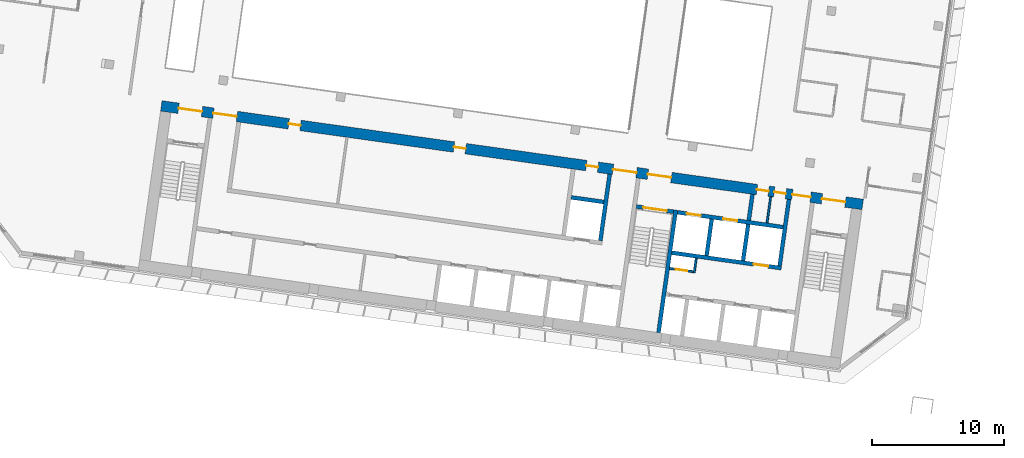
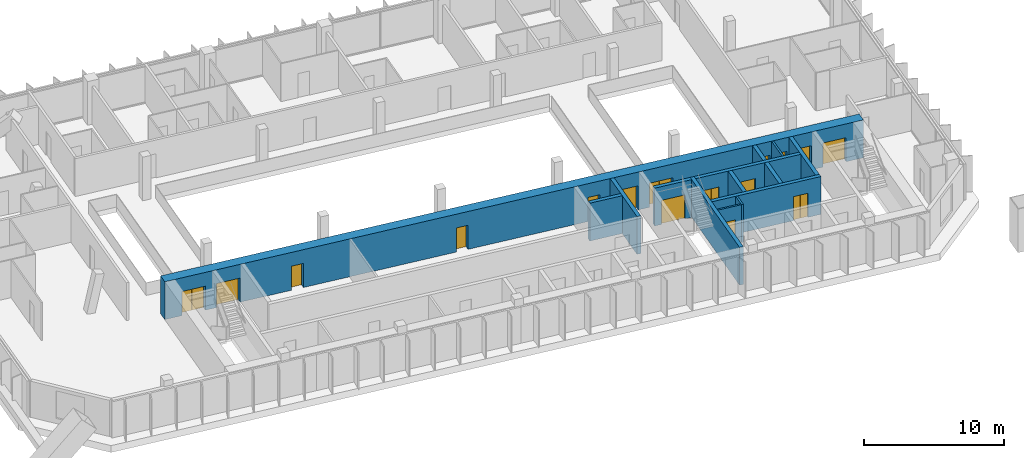
# One storey, part 19 of 34: 16 doors, 14 walls, 16 openings.
"""IFC4 building model written with IfcOpenShell, lengths in metres."""

from ifc_helpers import new_model, si_unit, direction, frame, frame_2d, origin, place, context, subcontext, project, spatial, rectangle, extrude, material, layer, layer_set, type_object, element, fill, save


model = new_model("IFC4")

# Units and contexts
model_context = context("Model", 3, precision=1e-05, world=origin(), true_north=direction((0.0, 1.0)))
body_context = subcontext(model_context, "Body", "Model", "MODEL_VIEW")
ifc_project = project(units=[si_unit("LENGTHUNIT", "METRE"), si_unit("AREAUNIT", "SQUARE_METRE"), si_unit("VOLUMEUNIT", "CUBIC_METRE"), si_unit("PLANEANGLEUNIT", "RADIAN"), si_unit("MASSUNIT", "GRAM", prefix="KILO")], contexts=[model_context])

# Site, building, storey
site_placement = place(None, origin())
site = spatial("IfcSite", under=ifc_project, at=site_placement, CompositionType="ELEMENT")
building_placement = place(site_placement, origin())
building = spatial("IfcBuilding", under=site, at=building_placement, Name="Mirante Cascada Hotel Towers", CompositionType="ELEMENT")
storey_placement = place(building_placement, frame((0.0, 0.0, 148.1)))
storey = spatial("IfcBuildingStorey", under=building, at=storey_placement, Name="L34", CompositionType="ELEMENT", Elevation=148.1)

# Wall
ifc_material_1 = material(Name="Masonry block", Category="masonry")
ifc_layer_1 = layer(ifc_material_1, 0.15)
ifc_layer_set_1 = layer_set([ifc_layer_1], Name="Core room partition 150 block EI 30")
wall_type_1 = type_object("IfcWallType", Name="Core room partition 150 block EI 30", PredefinedType="PARTITIONING", material=ifc_layer_set_1)
wall_1_placement = place(storey_placement, frame((-48.2295, -12.793, 0.0), z_axis=(0.0, 0.0, 1.0), x_axis=(0.1391935, 0.9902652, 0.0)))
element("IfcWall", 1, at=wall_1_placement, inside=storey, type_object=wall_type_1, Name="Core wall partition T1 L34 2", PredefinedType="PARTITIONING", context=body_context, shape_type="SweptSolid", body=[
    extrude(rectangle(XDim=1.1251, YDim=0.15, at=frame_2d((0.5626, 0.0))), origin(), (0.0, 0.0, 1.0), 3.3),
])

# Wall, opening, door
wall_2_placement = place(storey_placement, frame((-48.2933, -12.7083, 0.0), z_axis=(0.0, 0.0, 1.0), x_axis=(-0.990268, 0.1391734, 0.0)))
wall_2 = element("IfcWall", 2, at=wall_2_placement, inside=storey, type_object=wall_type_1, Name="Core wall partition T1 L34 3", PredefinedType="PARTITIONING", context=body_context, shape_type="SweptSolid", body=[
    extrude(rectangle(XDim=1.8251, YDim=0.15, at=frame_2d((0.9126, 0.0))), origin(), (0.0, 0.0, 1.0), 3.3),
])
opening_1_placement = place(wall_2_placement, frame((0.4625, 0.0, 0.0)))
opening_1 = element("IfcOpeningElement", 3, at=opening_1_placement, cuts=wall_2, Name="Opening D1-34-C23", PredefinedType="OPENING", context=body_context, shape_type="SweptSolid", body=[
    extrude(rectangle(XDim=0.9, YDim=2.1, at=frame_2d((0.45, 1.05))), frame((0.0, 0.075, 0.0), z_axis=(0.0, -1.0, 0.0), x_axis=(1.0, 0.0, 0.0)), (0.0, 0.0, 1.0), 0.15),
])
ifc_material_2 = material(Name="Hollow metal fire door leaf")
door_type_1 = type_object("IfcDoorType", Name="Fire door 900x2100 FD60", OperationType="NOTDEFINED", PredefinedType="DOOR", material=ifc_material_2)
door_1_placement = place(opening_1_placement, origin())
door_1 = element("IfcDoor", 4, at=door_1_placement, inside=storey, type_object=door_type_1, Name="Riser door T1 L34 23", OperationType="SINGLE_SWING_LEFT", OverallHeight=2.1, OverallWidth=0.9, PredefinedType="DOOR", context=body_context, shape_type="SweptSolid", body=[
    extrude(rectangle(XDim=0.9, YDim=2.1, at=frame_2d((0.45, 1.05))), frame((0.0, 0.025, 0.0), z_axis=(0.0, -1.0, 0.0), x_axis=(1.0, 0.0, 0.0)), (0.0, 0.0, 1.0), 0.05),
])
fill(opening_1, door_1)

# Walls
wall_3_placement = place(storey_placement, frame((-42.6979, -9.0009, 0.0), z_axis=(0.0, 0.0, 1.0), x_axis=(0.1391529, 0.9902709, 0.0)))
element("IfcWall", 5, at=wall_3_placement, inside=storey, type_object=wall_type_1, Name="Core wall partition T1 L34 4", PredefinedType="PARTITIONING", context=body_context, shape_type="SweptSolid", body=[
    extrude(rectangle(XDim=2.0, YDim=0.15, at=frame_2d((1.0, 0.0))), origin(), (0.0, 0.0, 1.0), 3.3),
])
ifc_material_3 = material(Name="Masonry block", Category="masonry")
ifc_layer_2 = layer(ifc_material_3, 0.3)
ifc_layer_set_2 = layer_set([ifc_layer_2], Name="Core wall 300 block EI 120")
wall_type_2 = type_object("IfcWallType", Name="Core wall 300 block EI 120", PredefinedType="PARTITIONING", material=ifc_layer_set_2)
wall_4_placement = place(storey_placement, frame((-44.0843, -8.8061, 0.0), z_axis=(0.0, 0.0, 1.0), x_axis=(0.1391951, 0.990265, 0.0)))
element("IfcWall", 6, at=wall_4_placement, inside=storey, type_object=wall_type_2, Name="Core wall partition T1 L34 1", PredefinedType="PARTITIONING", context=body_context, shape_type="SweptSolid", body=[
    extrude(rectangle(XDim=2.0001, YDim=0.3, at=frame_2d((1.0001, 0.0))), origin(), (0.0, 0.0, 1.0), 3.3),
])
ifc_material_4 = material(Name="Concrete C50/60", Category="concrete")
ifc_layer_3 = layer(ifc_material_4, 0.3)
ifc_layer_set_3 = layer_set([ifc_layer_3], Name="RC core wall 300 C50/60")
wall_type_3 = type_object("IfcWallType", Name="RC core wall 300 C50/60", PredefinedType="SHEAR", material=ifc_layer_set_3)
wall_5_placement = place(storey_placement, frame((-50.938, -17.3352, 0.0), z_axis=(0.0, 0.0, 1.0), x_axis=(0.1391706, 0.9902684, 0.0)))
element("IfcWall", 7, at=wall_5_placement, inside=storey, type_object=wall_type_3, Name="Core wall T1:L34:6", PredefinedType="SHEAR", context=body_context, shape_type="SweptSolid", body=[
    extrude(rectangle(XDim=9.4, YDim=0.3, at=frame_2d((4.7, 0.0))), origin(), (0.0, 0.0, 1.0), 3.3),
])

# Wall, opening, door
wall_6_placement = place(storey_placement, frame((-49.7992, -8.1544, 0.0), z_axis=(0.0, 0.0, 1.0), x_axis=(-0.9902656, 0.1391909, 0.0)))
wall_6 = element("IfcWall", 8, at=wall_6_placement, inside=storey, type_object=wall_type_3, Name="Core wall T1:L34:10", PredefinedType="SHEAR", context=body_context, shape_type="SweptSolid", body=[
    extrude(rectangle(XDim=2.85, YDim=0.3, at=frame_2d((1.425, 0.0))), origin(), (0.0, 0.0, 1.0), 3.3),
])
opening_2_placement = place(wall_6_placement, frame((0.525, 0.0, 0.0)))
opening_2 = element("IfcOpeningElement", 9, at=opening_2_placement, cuts=wall_6, Name="Opening D1-34-C15", PredefinedType="OPENING", context=body_context, shape_type="SweptSolid", body=[
    extrude(rectangle(XDim=1.8, YDim=2.1, at=frame_2d((0.9, 1.05))), frame((0.0, 0.15, 0.0), z_axis=(0.0, -1.0, 0.0), x_axis=(1.0, 0.0, 0.0)), (0.0, 0.0, 1.0), 0.3),
])
ifc_material_5 = material(Name="Hollow metal fire door leaf")
door_type_2 = type_object("IfcDoorType", Name="Double fire door 1800x2100 FD60", OperationType="DOUBLE_DOOR_SINGLE_SWING", PredefinedType="DOOR", material=ifc_material_5)
door_2_placement = place(opening_2_placement, origin())
door_2 = element("IfcDoor", 10, at=door_2_placement, inside=storey, type_object=door_type_2, Name="Stair door T1 L34 15", OperationType="DOUBLE_DOOR_SINGLE_SWING", OverallHeight=2.1, OverallWidth=1.8, PredefinedType="DOOR", context=body_context, shape_type="SweptSolid", body=[
    extrude(rectangle(XDim=0.895, YDim=2.1, at=frame_2d((0.4475, 1.05))), frame((0.0, 0.025, 0.0), z_axis=(0.0, -1.0, 0.0), x_axis=(1.0, 0.0, 0.0)), (0.0, 0.0, 1.0), 0.05),
    extrude(rectangle(XDim=0.895, YDim=2.1, at=frame_2d((1.3525, 1.05))), frame((0.0, 0.025, 0.0), z_axis=(0.0, -1.0, 0.0), x_axis=(1.0, 0.0, 0.0)), (0.0, 0.0, 1.0), 0.05),
])
fill(opening_2, door_2)

wall_7_placement = place(storey_placement, frame((-41.6153, -12.435, 0.0), z_axis=(0.0, 0.0, 1.0), x_axis=(-0.9902691, 0.139166, 0.0)))
wall_7 = element("IfcWall", 11, at=wall_7_placement, inside=storey, type_object=wall_type_3, Name="Core wall T1:L34:13", PredefinedType="SHEAR", context=body_context, shape_type="SweptSolid", body=[
    extrude(rectangle(XDim=8.4, YDim=0.3, at=frame_2d((4.2, 0.0))), origin(), (0.0, 0.0, 1.0), 3.3),
])
opening_3_placement = place(wall_7_placement, frame((1.0, 0.0, 0.0)))
opening_3 = element("IfcOpeningElement", 12, at=opening_3_placement, cuts=wall_7, Name="Opening LD", PredefinedType="OPENING", context=body_context, shape_type="SweptSolid", body=[
    extrude(rectangle(XDim=1.1, YDim=2.1, at=frame_2d((0.55, 1.05))), frame((0.0, 0.15, 0.0), z_axis=(0.0, -1.0, 0.0), x_axis=(1.0, 0.0, 0.0)), (0.0, 0.0, 1.0), 0.3),
])
ifc_material_6 = material(Name="Stainless steel", Category="steel")
door_type_3 = type_object("IfcDoorType", Name="Lift landing door 1100x2100 EI 120", OperationType="DOUBLE_DOOR_SLIDING", PredefinedType="DOOR", material=ifc_material_6)
door_3_placement = place(opening_3_placement, origin())
door_3 = element("IfcDoor", 13, at=door_3_placement, inside=storey, type_object=door_type_3, Name="Lift landing door HR1-4 L34", OperationType="DOUBLE_DOOR_SLIDING", OverallHeight=2.1, OverallWidth=1.1, PredefinedType="DOOR", context=body_context, shape_type="SweptSolid", body=[
    extrude(rectangle(XDim=0.545, YDim=2.1, at=frame_2d((0.2725, 1.05))), frame((0.0, 0.025, 0.0), z_axis=(0.0, -1.0, 0.0), x_axis=(1.0, 0.0, 0.0)), (0.0, 0.0, 1.0), 0.05),
    extrude(rectangle(XDim=0.545, YDim=2.1, at=frame_2d((0.8275, 1.05))), frame((0.0, 0.025, 0.0), z_axis=(0.0, -1.0, 0.0), x_axis=(1.0, 0.0, 0.0)), (0.0, 0.0, 1.0), 0.05),
])
fill(opening_3, door_3)

# Wall, openings, doors
wall_8_placement = place(storey_placement, frame((-41.481, -9.3234, 0.0), z_axis=(0.0, 0.0, 1.0), x_axis=(-0.9902679, 0.1391741, 0.0)))
wall_8 = element("IfcWall", 14, at=wall_8_placement, inside=storey, type_object=wall_type_3, Name="Core wall T1:L34:14", PredefinedType="SHEAR", context=body_context, shape_type="SweptSolid", body=[
    extrude(rectangle(XDim=8.0999, YDim=0.3, at=frame_2d((4.05, 0.0))), origin(), (0.0, 0.0, 1.0), 3.3),
])
opening_4_placement = place(wall_8_placement, frame((3.5, 0.0, 0.0)))
opening_4 = element("IfcOpeningElement", 15, at=opening_4_placement, cuts=wall_8, Name="Opening LD", PredefinedType="OPENING", context=body_context, shape_type="SweptSolid", body=[
    extrude(rectangle(XDim=1.1, YDim=2.1, at=frame_2d((0.55, 1.05))), frame((0.0, 0.15, 0.0), z_axis=(0.0, -1.0, 0.0), x_axis=(1.0, 0.0, 0.0)), (0.0, 0.0, 1.0), 0.3),
])
opening_5_placement = place(wall_8_placement, frame((6.3, 0.0, 0.0)))
opening_5 = element("IfcOpeningElement", 16, at=opening_5_placement, cuts=wall_8, Name="Opening LD", PredefinedType="OPENING", context=body_context, shape_type="SweptSolid", body=[
    extrude(rectangle(XDim=1.1, YDim=2.1, at=frame_2d((0.55, 1.05))), frame((0.0, 0.15, 0.0), z_axis=(0.0, -1.0, 0.0), x_axis=(1.0, 0.0, 0.0)), (0.0, 0.0, 1.0), 0.3),
])
door_4_placement = place(opening_4_placement, origin())
door_4 = element("IfcDoor", 17, at=door_4_placement, inside=storey, type_object=door_type_3, Name="Lift landing door FF1 L34", OperationType="DOUBLE_DOOR_SLIDING", OverallHeight=2.1, OverallWidth=1.1, PredefinedType="DOOR", context=body_context, shape_type="SweptSolid", body=[
    extrude(rectangle(XDim=0.545, YDim=2.1, at=frame_2d((0.2725, 1.05))), frame((0.0, 0.025, 0.0), z_axis=(0.0, -1.0, 0.0), x_axis=(1.0, 0.0, 0.0)), (0.0, 0.0, 1.0), 0.05),
    extrude(rectangle(XDim=0.545, YDim=2.1, at=frame_2d((0.8275, 1.05))), frame((0.0, 0.025, 0.0), z_axis=(0.0, -1.0, 0.0), x_axis=(1.0, 0.0, 0.0)), (0.0, 0.0, 1.0), 0.05),
])
fill(opening_4, door_4)
door_5_placement = place(opening_5_placement, origin())
door_5 = element("IfcDoor", 18, at=door_5_placement, inside=storey, type_object=door_type_3, Name="Lift landing door FF2 L34", OperationType="DOUBLE_DOOR_SLIDING", OverallHeight=2.1, OverallWidth=1.1, PredefinedType="DOOR", context=body_context, shape_type="SweptSolid", body=[
    extrude(rectangle(XDim=0.545, YDim=2.1, at=frame_2d((0.2725, 1.05))), frame((0.0, 0.025, 0.0), z_axis=(0.0, -1.0, 0.0), x_axis=(1.0, 0.0, 0.0)), (0.0, 0.0, 1.0), 0.05),
    extrude(rectangle(XDim=0.545, YDim=2.1, at=frame_2d((0.8275, 1.05))), frame((0.0, 0.025, 0.0), z_axis=(0.0, -1.0, 0.0), x_axis=(1.0, 0.0, 0.0)), (0.0, 0.0, 1.0), 0.05),
])
fill(opening_5, door_5)

# Walls
for number, where, z_axis, x_axis, name in (
    (19, (-44.5157, -11.8759, 0.0), (0.0, 0.0, 1.0), (0.139181, 0.990267, 0.0), "Core wall T1:L34:18"),
    (20, (-47.2885, -11.4862, 0.0), (0.0, 0.0, 1.0), (0.139181, 0.990267, 0.0), "Core wall T1:L34:19"),
):
    element("IfcWall", number, at=place(storey_placement, frame(where, z_axis=z_axis, x_axis=x_axis)), inside=storey, type_object=wall_type_3, Name=name, PredefinedType="SHEAR", context=body_context, shape_type="SweptSolid", body=[
        extrude(rectangle(XDim=2.8, YDim=0.3, at=frame_2d((1.4, 0.0))), origin(), (0.0, 0.0, 1.0), 3.3),
    ])
for number, where, z_axis, x_axis, name in (
    (21, (-41.743, -12.2656, 0.0), (0.0, 0.0, 1.0), (0.1391755, 0.9902677, 0.0), "Core wall T1:L34:20"),
    (22, (-55.3592, -10.352, 0.0), (0.0, 0.0, 1.0), (0.1391755, 0.9902677, 0.0), "Core wall T1:L34:34"),
):
    element("IfcWall", number, at=place(storey_placement, frame(where, z_axis=z_axis, x_axis=x_axis)), inside=storey, type_object=wall_type_3, Name=name, PredefinedType="SHEAR", context=body_context, shape_type="SweptSolid", body=[
        extrude(rectangle(XDim=5.1, YDim=0.3, at=frame_2d((2.55, 0.0))), origin(), (0.0, 0.0, 1.0), 3.3),
    ])
wall_9_placement = place(storey_placement, frame((-55.0971, -7.4098, 0.0), z_axis=(0.0, 0.0, 1.0), x_axis=(-0.9902701, 0.1391586, 0.0)))
element("IfcWall", 23, at=wall_9_placement, inside=storey, type_object=wall_type_3, Name="Core wall T1:L34:37", PredefinedType="SHEAR", context=body_context, shape_type="SweptSolid", body=[
    extrude(rectangle(XDim=2.5, YDim=0.3, at=frame_2d((1.25, 0.0))), origin(), (0.0, 0.0, 1.0), 3.3),
])

# Wall, openings, doors
ifc_material_7 = material(Name="Concrete C50/60", Category="concrete")
ifc_layer_4 = layer(ifc_material_7, 0.8)
ifc_layer_set_4 = layer_set([ifc_layer_4], Name="RC core wall 800 C50/60")
wall_type_4 = type_object("IfcWallType", Name="RC core wall 800 C50/60", PredefinedType="SHEAR", material=ifc_layer_set_4)
wall_10_placement = place(storey_placement, frame((-35.432, -7.5985, 0.0), z_axis=(0.0, 0.0, 1.0), x_axis=(-0.9902681, 0.1391729, 0.0)))
wall_10 = element("IfcWall", 24, at=wall_10_placement, inside=storey, type_object=wall_type_4, Name="Core wall T1:L34:2", PredefinedType="SHEAR", context=body_context, shape_type="SweptSolid", body=[
    extrude(rectangle(XDim=53.8, YDim=0.8, at=frame_2d((26.9, 0.0))), origin(), (0.0, 0.0, 1.0), 3.3),
])
opening_6_placement = place(wall_10_placement, frame((1.325, 0.0, 0.0)))
opening_6 = element("IfcOpeningElement", 25, at=opening_6_placement, cuts=wall_10, Name="Opening D1-34-C14", PredefinedType="OPENING", context=body_context, shape_type="SweptSolid", body=[
    extrude(rectangle(XDim=1.8, YDim=2.1, at=frame_2d((0.9, 1.05))), frame((0.0, 0.4, 0.0), z_axis=(0.0, -1.0, 0.0), x_axis=(1.0, 0.0, 0.0)), (0.0, 0.0, 1.0), 0.8),
])
opening_7_placement = place(wall_10_placement, frame((14.675, 0.0, 0.0)))
opening_7 = element("IfcOpeningElement", 26, at=opening_7_placement, cuts=wall_10, Name="Opening D1-34-C16", PredefinedType="OPENING", context=body_context, shape_type="SweptSolid", body=[
    extrude(rectangle(XDim=1.8, YDim=2.1, at=frame_2d((0.9, 1.05))), frame((0.0, 0.4, 0.0), z_axis=(0.0, -1.0, 0.0), x_axis=(1.0, 0.0, 0.0)), (0.0, 0.0, 1.0), 0.8),
])
opening_8_placement = place(wall_10_placement, frame((50.675, 0.0, 0.0)))
opening_8 = element("IfcOpeningElement", 27, at=opening_8_placement, cuts=wall_10, Name="Opening D1-34-C18", PredefinedType="OPENING", context=body_context, shape_type="SweptSolid", body=[
    extrude(rectangle(XDim=1.8, YDim=2.1, at=frame_2d((0.9, 1.05))), frame((0.0, 0.4, 0.0), z_axis=(0.0, -1.0, 0.0), x_axis=(1.0, 0.0, 0.0)), (0.0, 0.0, 1.0), 0.8),
])
opening_9_placement = place(wall_10_placement, frame((4.0, 0.0, 0.0)))
opening_9 = element("IfcOpeningElement", 28, at=opening_9_placement, cuts=wall_10, Name="Opening D1-34-C19", PredefinedType="OPENING", context=body_context, shape_type="SweptSolid", body=[
    extrude(rectangle(XDim=1.4, YDim=2.1, at=frame_2d((0.7, 1.05))), frame((0.0, 0.4, 0.0), z_axis=(0.0, -1.0, 0.0), x_axis=(1.0, 0.0, 0.0)), (0.0, 0.0, 1.0), 0.8),
])
opening_10_placement = place(wall_10_placement, frame((17.35, 0.0, 0.0)))
opening_10 = element("IfcOpeningElement", 29, at=opening_10_placement, cuts=wall_10, Name="Opening D1-34-C20", PredefinedType="OPENING", context=body_context, shape_type="SweptSolid", body=[
    extrude(rectangle(XDim=1.8, YDim=2.1, at=frame_2d((0.9, 1.05))), frame((0.0, 0.4, 0.0), z_axis=(0.0, -1.0, 0.0), x_axis=(1.0, 0.0, 0.0)), (0.0, 0.0, 1.0), 0.8),
])
opening_11_placement = place(wall_10_placement, frame((48.0, 0.0, 0.0)))
opening_11 = element("IfcOpeningElement", 30, at=opening_11_placement, cuts=wall_10, Name="Opening D1-34-C21", PredefinedType="OPENING", context=body_context, shape_type="SweptSolid", body=[
    extrude(rectangle(XDim=1.8, YDim=2.1, at=frame_2d((0.9, 1.05))), frame((0.0, 0.4, 0.0), z_axis=(0.0, -1.0, 0.0), x_axis=(1.0, 0.0, 0.0)), (0.0, 0.0, 1.0), 0.8),
])
opening_12_placement = place(wall_10_placement, frame((5.8875, 0.0, 0.0)))
opening_12 = element("IfcOpeningElement", 31, at=opening_12_placement, cuts=wall_10, Name="Opening D1-34-C24", PredefinedType="OPENING", context=body_context, shape_type="SweptSolid", body=[
    extrude(rectangle(XDim=0.9, YDim=2.1, at=frame_2d((0.45, 1.05))), frame((0.0, 0.4, 0.0), z_axis=(0.0, -1.0, 0.0), x_axis=(1.0, 0.0, 0.0)), (0.0, 0.0, 1.0), 0.8),
])
opening_13_placement = place(wall_10_placement, frame((7.2125, 0.0, 0.0)))
opening_13 = element("IfcOpeningElement", 32, at=opening_13_placement, cuts=wall_10, Name="Opening D1-34-C25", PredefinedType="OPENING", context=body_context, shape_type="SweptSolid", body=[
    extrude(rectangle(XDim=0.9, YDim=2.1, at=frame_2d((0.45, 1.05))), frame((0.0, 0.4, 0.0), z_axis=(0.0, -1.0, 0.0), x_axis=(1.0, 0.0, 0.0)), (0.0, 0.0, 1.0), 0.8),
])
opening_14_placement = place(wall_10_placement, frame((20.3, 0.0, 0.0)))
opening_14 = element("IfcOpeningElement", 33, at=opening_14_placement, cuts=wall_10, Name="Opening D1-34-C29", PredefinedType="OPENING", context=body_context, shape_type="SweptSolid", body=[
    extrude(rectangle(XDim=0.9, YDim=2.1, at=frame_2d((0.45, 1.05))), frame((0.0, 0.4, 0.0), z_axis=(0.0, -1.0, 0.0), x_axis=(1.0, 0.0, 0.0)), (0.0, 0.0, 1.0), 0.8),
])
opening_15_placement = place(wall_10_placement, frame((30.45, 0.0, 0.0)))
opening_15 = element("IfcOpeningElement", 34, at=opening_15_placement, cuts=wall_10, Name="Opening D1-34-C30", PredefinedType="OPENING", context=body_context, shape_type="SweptSolid", body=[
    extrude(rectangle(XDim=0.9, YDim=2.1, at=frame_2d((0.45, 1.05))), frame((0.0, 0.4, 0.0), z_axis=(0.0, -1.0, 0.0), x_axis=(1.0, 0.0, 0.0)), (0.0, 0.0, 1.0), 0.8),
])
opening_16_placement = place(wall_10_placement, frame((43.125, 0.0, 0.0)))
opening_16 = element("IfcOpeningElement", 35, at=opening_16_placement, cuts=wall_10, Name="Opening D1-34-C31", PredefinedType="OPENING", context=body_context, shape_type="SweptSolid", body=[
    extrude(rectangle(XDim=0.9, YDim=2.1, at=frame_2d((0.45, 1.05))), frame((0.0, 0.4, 0.0), z_axis=(0.0, -1.0, 0.0), x_axis=(1.0, 0.0, 0.0)), (0.0, 0.0, 1.0), 0.8),
])
ifc_material_8 = material(Name="Hollow metal fire door leaf")
door_type_4 = type_object("IfcDoorType", Name="Double fire door 1400x2100 FD60", OperationType="DOUBLE_DOOR_SINGLE_SWING", PredefinedType="DOOR", material=ifc_material_8)
door_6_placement = place(opening_9_placement, frame((1.4, 0.0, 0.0), z_axis=(0.0, 0.0, 1.0), x_axis=(-1.0, 0.0, 0.0)))
door_6 = element("IfcDoor", 36, at=door_6_placement, inside=storey, type_object=door_type_4, Name="Exit door to gallery T1 L34 19", OperationType="DOUBLE_DOOR_SINGLE_SWING", OverallHeight=2.1, OverallWidth=1.4, PredefinedType="DOOR", context=body_context, shape_type="SweptSolid", body=[
    extrude(rectangle(XDim=0.695, YDim=2.1, at=frame_2d((0.3475, 1.05))), frame((0.0, 0.025, 0.0), z_axis=(0.0, -1.0, 0.0), x_axis=(1.0, 0.0, 0.0)), (0.0, 0.0, 1.0), 0.05),
    extrude(rectangle(XDim=0.695, YDim=2.1, at=frame_2d((1.0525, 1.05))), frame((0.0, 0.025, 0.0), z_axis=(0.0, -1.0, 0.0), x_axis=(1.0, 0.0, 0.0)), (0.0, 0.0, 1.0), 0.05),
])
fill(opening_9, door_6)
door_7_placement = place(opening_6_placement, origin())
door_7 = element("IfcDoor", 37, at=door_7_placement, inside=storey, type_object=door_type_2, Name="Exit door to gallery T1 L34 14", OperationType="DOUBLE_DOOR_SINGLE_SWING", OverallHeight=2.1, OverallWidth=1.8, PredefinedType="DOOR", context=body_context, shape_type="SweptSolid", body=[
    extrude(rectangle(XDim=0.895, YDim=2.1, at=frame_2d((0.4475, 1.05))), frame((0.0, 0.025, 0.0), z_axis=(0.0, -1.0, 0.0), x_axis=(1.0, 0.0, 0.0)), (0.0, 0.0, 1.0), 0.05),
    extrude(rectangle(XDim=0.895, YDim=2.1, at=frame_2d((1.3525, 1.05))), frame((0.0, 0.025, 0.0), z_axis=(0.0, -1.0, 0.0), x_axis=(1.0, 0.0, 0.0)), (0.0, 0.0, 1.0), 0.05),
])
fill(opening_6, door_7)
door_8_placement = place(opening_7_placement, origin())
door_8 = element("IfcDoor", 38, at=door_8_placement, inside=storey, type_object=door_type_2, Name="Exit door to gallery T1 L34 16", OperationType="DOUBLE_DOOR_SINGLE_SWING", OverallHeight=2.1, OverallWidth=1.8, PredefinedType="DOOR", context=body_context, shape_type="SweptSolid", body=[
    extrude(rectangle(XDim=0.895, YDim=2.1, at=frame_2d((0.4475, 1.05))), frame((0.0, 0.025, 0.0), z_axis=(0.0, -1.0, 0.0), x_axis=(1.0, 0.0, 0.0)), (0.0, 0.0, 1.0), 0.05),
    extrude(rectangle(XDim=0.895, YDim=2.1, at=frame_2d((1.3525, 1.05))), frame((0.0, 0.025, 0.0), z_axis=(0.0, -1.0, 0.0), x_axis=(1.0, 0.0, 0.0)), (0.0, 0.0, 1.0), 0.05),
])
fill(opening_7, door_8)
door_9_placement = place(opening_8_placement, origin())
door_9 = element("IfcDoor", 39, at=door_9_placement, inside=storey, type_object=door_type_2, Name="Exit door to gallery T1 L34 18", OperationType="DOUBLE_DOOR_SINGLE_SWING", OverallHeight=2.1, OverallWidth=1.8, PredefinedType="DOOR", context=body_context, shape_type="SweptSolid", body=[
    extrude(rectangle(XDim=0.895, YDim=2.1, at=frame_2d((0.4475, 1.05))), frame((0.0, 0.025, 0.0), z_axis=(0.0, -1.0, 0.0), x_axis=(1.0, 0.0, 0.0)), (0.0, 0.0, 1.0), 0.05),
    extrude(rectangle(XDim=0.895, YDim=2.1, at=frame_2d((1.3525, 1.05))), frame((0.0, 0.025, 0.0), z_axis=(0.0, -1.0, 0.0), x_axis=(1.0, 0.0, 0.0)), (0.0, 0.0, 1.0), 0.05),
])
fill(opening_8, door_9)
door_10_placement = place(opening_10_placement, frame((1.8, 0.0, 0.0), z_axis=(0.0, 0.0, 1.0), x_axis=(-1.0, 0.0, 0.0)))
door_10 = element("IfcDoor", 40, at=door_10_placement, inside=storey, type_object=door_type_2, Name="Exit door to gallery T1 L34 20", OperationType="DOUBLE_DOOR_SINGLE_SWING", OverallHeight=2.1, OverallWidth=1.8, PredefinedType="DOOR", context=body_context, shape_type="SweptSolid", body=[
    extrude(rectangle(XDim=0.895, YDim=2.1, at=frame_2d((0.4475, 1.05))), frame((0.0, 0.025, 0.0), z_axis=(0.0, -1.0, 0.0), x_axis=(1.0, 0.0, 0.0)), (0.0, 0.0, 1.0), 0.05),
    extrude(rectangle(XDim=0.895, YDim=2.1, at=frame_2d((1.3525, 1.05))), frame((0.0, 0.025, 0.0), z_axis=(0.0, -1.0, 0.0), x_axis=(1.0, 0.0, 0.0)), (0.0, 0.0, 1.0), 0.05),
])
fill(opening_10, door_10)
door_11_placement = place(opening_11_placement, frame((1.8, 0.0, 0.0), z_axis=(0.0, 0.0, 1.0), x_axis=(-1.0, 0.0, 0.0)))
door_11 = element("IfcDoor", 41, at=door_11_placement, inside=storey, type_object=door_type_2, Name="Exit door to gallery T1 L34 21", OperationType="DOUBLE_DOOR_SINGLE_SWING", OverallHeight=2.1, OverallWidth=1.8, PredefinedType="DOOR", context=body_context, shape_type="SweptSolid", body=[
    extrude(rectangle(XDim=0.895, YDim=2.1, at=frame_2d((0.4475, 1.05))), frame((0.0, 0.025, 0.0), z_axis=(0.0, -1.0, 0.0), x_axis=(1.0, 0.0, 0.0)), (0.0, 0.0, 1.0), 0.05),
    extrude(rectangle(XDim=0.895, YDim=2.1, at=frame_2d((1.3525, 1.05))), frame((0.0, 0.025, 0.0), z_axis=(0.0, -1.0, 0.0), x_axis=(1.0, 0.0, 0.0)), (0.0, 0.0, 1.0), 0.05),
])
fill(opening_11, door_11)
door_12_placement = place(opening_12_placement, origin())
door_12 = element("IfcDoor", 42, at=door_12_placement, inside=storey, type_object=door_type_1, Name="Room door T1 L34 24", OperationType="SINGLE_SWING_RIGHT", OverallHeight=2.1, OverallWidth=0.9, PredefinedType="DOOR", context=body_context, shape_type="SweptSolid", body=[
    extrude(rectangle(XDim=0.9, YDim=2.1, at=frame_2d((0.45, 1.05))), frame((0.0, 0.025, 0.0), z_axis=(0.0, -1.0, 0.0), x_axis=(1.0, 0.0, 0.0)), (0.0, 0.0, 1.0), 0.05),
])
fill(opening_12, door_12)
door_13_placement = place(opening_13_placement, origin())
door_13 = element("IfcDoor", 43, at=door_13_placement, inside=storey, type_object=door_type_1, Name="Room door T1 L34 25", OperationType="SINGLE_SWING_RIGHT", OverallHeight=2.1, OverallWidth=0.9, PredefinedType="DOOR", context=body_context, shape_type="SweptSolid", body=[
    extrude(rectangle(XDim=0.9, YDim=2.1, at=frame_2d((0.45, 1.05))), frame((0.0, 0.025, 0.0), z_axis=(0.0, -1.0, 0.0), x_axis=(1.0, 0.0, 0.0)), (0.0, 0.0, 1.0), 0.05),
])
fill(opening_13, door_13)
door_14_placement = place(opening_14_placement, origin())
door_14 = element("IfcDoor", 44, at=door_14_placement, inside=storey, type_object=door_type_1, Name="Room door T1 L34 29", OperationType="SINGLE_SWING_RIGHT", OverallHeight=2.1, OverallWidth=0.9, PredefinedType="DOOR", context=body_context, shape_type="SweptSolid", body=[
    extrude(rectangle(XDim=0.9, YDim=2.1, at=frame_2d((0.45, 1.05))), frame((0.0, 0.025, 0.0), z_axis=(0.0, -1.0, 0.0), x_axis=(1.0, 0.0, 0.0)), (0.0, 0.0, 1.0), 0.05),
])
fill(opening_14, door_14)
door_15_placement = place(opening_15_placement, origin())
door_15 = element("IfcDoor", 45, at=door_15_placement, inside=storey, type_object=door_type_1, Name="Room door T1 L34 30", OperationType="SINGLE_SWING_LEFT", OverallHeight=2.1, OverallWidth=0.9, PredefinedType="DOOR", context=body_context, shape_type="SweptSolid", body=[
    extrude(rectangle(XDim=0.9, YDim=2.1, at=frame_2d((0.45, 1.05))), frame((0.0, 0.025, 0.0), z_axis=(0.0, -1.0, 0.0), x_axis=(1.0, 0.0, 0.0)), (0.0, 0.0, 1.0), 0.05),
])
fill(opening_15, door_15)
door_16_placement = place(opening_16_placement, origin())
door_16 = element("IfcDoor", 46, at=door_16_placement, inside=storey, type_object=door_type_1, Name="Room door T1 L34 31", OperationType="SINGLE_SWING_LEFT", OverallHeight=2.1, OverallWidth=0.9, PredefinedType="DOOR", context=body_context, shape_type="SweptSolid", body=[
    extrude(rectangle(XDim=0.9, YDim=2.1, at=frame_2d((0.45, 1.05))), frame((0.0, 0.025, 0.0), z_axis=(0.0, -1.0, 0.0), x_axis=(1.0, 0.0, 0.0)), (0.0, 0.0, 1.0), 0.05),
])
fill(opening_16, door_16)

save(model, "model.ifc")
